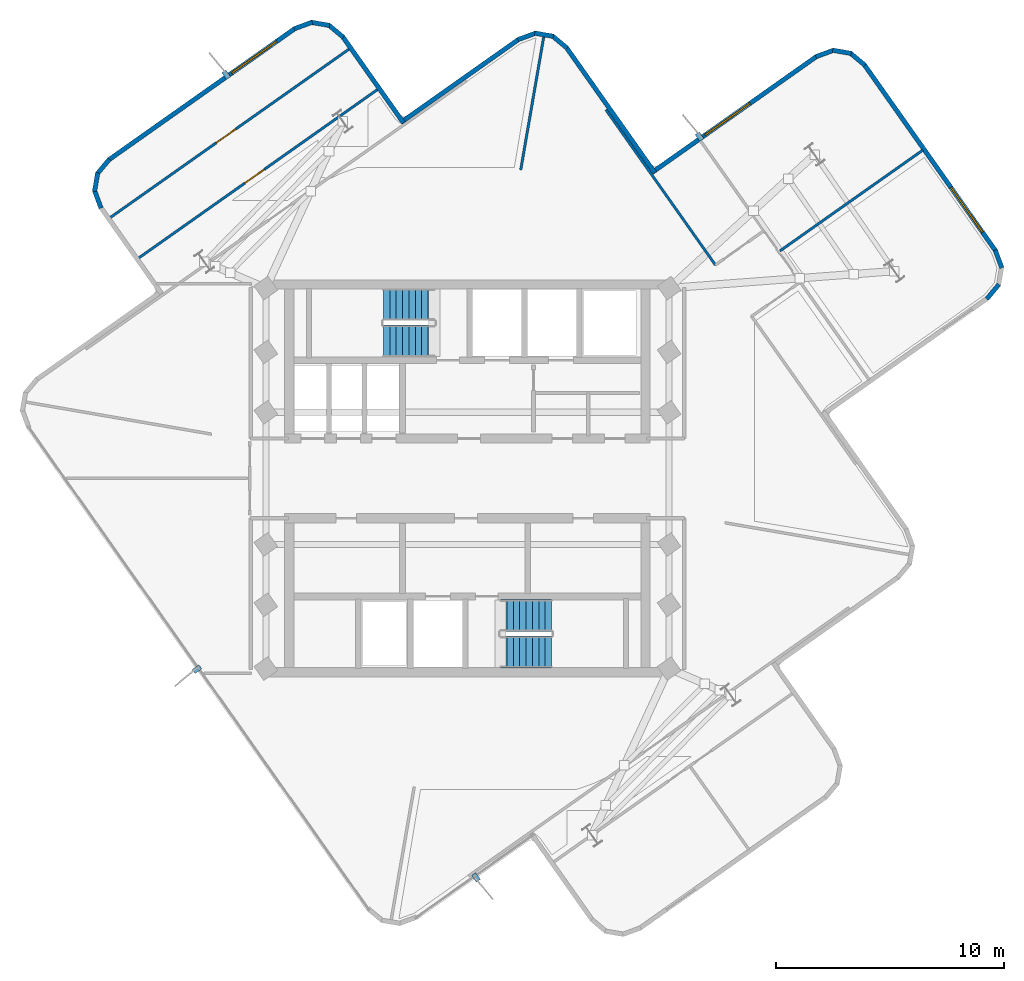
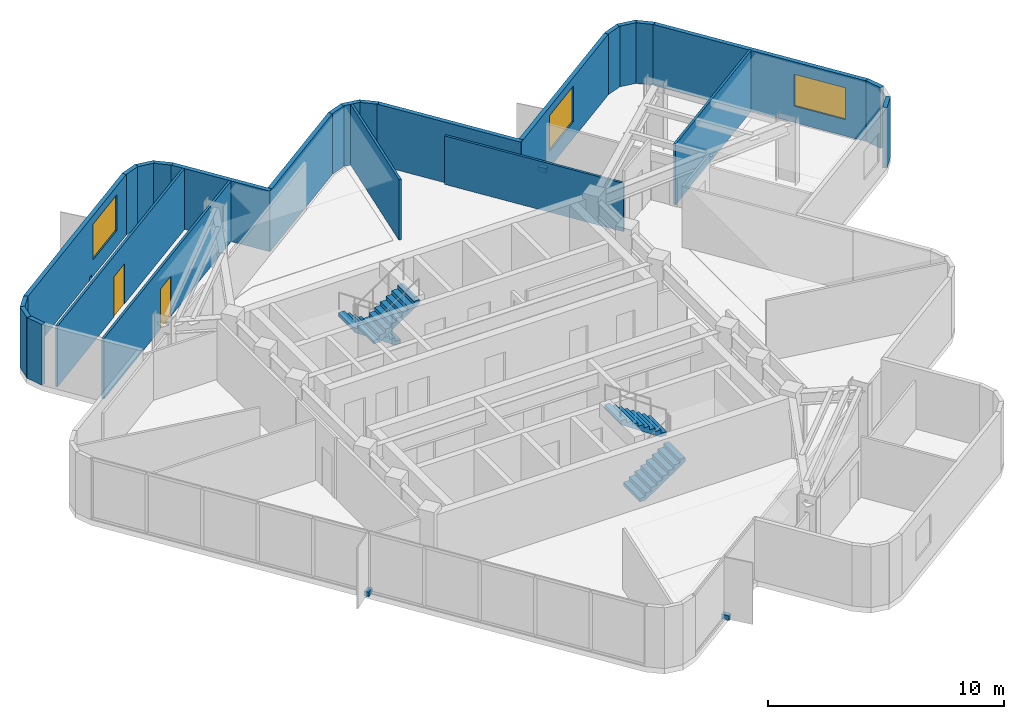
# One storey, part 7 of 9: 25 walls, 4 discrete accessories, 4 stair flights, 3 windows, 2 doors, 5 openings, 2 elements without a shape of their own.
"""IFC4 building model written with IfcOpenShell, lengths in metres."""

from ifc_helpers import new_model, si_unit, direction, frame, frame_2d, origin, origin_2d, place, context, subcontext, project, spatial, polyline, rectangle, outline, extrude, material, layer, layer_set, type_object, element, fill, aggregate, save


model = new_model("IFC4")

# Units and contexts
model_context = context("Model", 3, precision=1e-05, world=origin(), true_north=direction((0.0, 1.0)))
body_context = subcontext(model_context, "Body", "Model", "MODEL_VIEW")
ifc_project = project(units=[si_unit("LENGTHUNIT", "METRE"), si_unit("AREAUNIT", "SQUARE_METRE"), si_unit("VOLUMEUNIT", "CUBIC_METRE"), si_unit("PLANEANGLEUNIT", "RADIAN"), si_unit("MASSUNIT", "GRAM", prefix="KILO")], contexts=[model_context])

# Site, building, storey
site_placement = place(None, origin())
site = spatial("IfcSite", under=ifc_project, at=site_placement, CompositionType="ELEMENT")
building_placement = place(site_placement, origin())
building = spatial("IfcBuilding", under=site, at=building_placement, Name="Solmarez Civic Tower", CompositionType="ELEMENT")
storey_placement = place(building_placement, frame((0.0, 0.0, 222.300048828125)))
storey = spatial("IfcBuildingStorey", under=building, at=storey_placement, Name="L59", CompositionType="ELEMENT", Elevation=222.300048828125)

# Walls
ifc_material_1 = material(Name="Precast concrete C40/50", Category="concrete")
ifc_layer_1 = layer(ifc_material_1, 0.199951171875)
ifc_layer_set_1 = layer_set([ifc_layer_1], Name="Precast concrete C40/50")
wall_type_1 = type_object("IfcWallType", Name="WALL-EXT-200", PredefinedType="SOLIDWALL", material=ifc_layer_set_1)
wall_1_placement = place(storey_placement, frame((-16.083984375, 11.860107421875, 0.0), z_axis=(0.0, 0.0, 1.0), x_axis=(-0.346232030844, 0.938148911857, 0.0)))
element("IfcWall", 1, at=wall_1_placement, inside=storey, type_object=wall_type_1, Name="L59 Exterior Precast Wall 14", PredefinedType="SOLIDWALL", context=body_context, shape_type="SweptSolid", body=[
    extrude(rectangle(XDim=0.837646484375, YDim=0.199951171875, at=frame_2d((0.4189453125, 0.0))), origin(), (0.0, 0.0, 1.0), 3.139892578125),
])
wall_2_placement = place(storey_placement, frame((-16.368896484375, 12.597900390625, 0.0), z_axis=(0.0, 0.0, 1.0), x_axis=(0.169332910212, 0.985558910223, 0.0)))
element("IfcWall", 2, at=wall_2_placement, inside=storey, type_object=wall_type_1, Name="L59 Exterior Precast Wall 15", PredefinedType="SOLIDWALL", context=body_context, shape_type="SweptSolid", body=[
    extrude(rectangle(XDim=0.826171875, YDim=0.199951171875, at=frame_2d((0.4130859375, 0.0))), origin(), (0.0, 0.0, 1.0), 3.139892578125),
])
wall_3_placement = place(storey_placement, frame((-16.2490234375, 13.367919921875, 0.0), z_axis=(0.0, 0.0, 1.0), x_axis=(0.641043819012, 0.76750428149, 0.0)))
element("IfcWall", 3, at=wall_3_placement, inside=storey, type_object=wall_type_1, Name="L59 Exterior Precast Wall 16", PredefinedType="SOLIDWALL", context=body_context, shape_type="SweptSolid", body=[
    extrude(rectangle(XDim=0.837890625, YDim=0.199951171875, at=frame_2d((0.4189453125, 0.0))), origin(), (0.0, 0.0, 1.0), 3.139892578125),
])

# Wall, opening, window
wall_4_placement = place(storey_placement, frame((-15.748046875, 13.97802734375, 0.0), z_axis=(0.0, 0.0, 1.0), x_axis=(0.817168991675, 0.576398160168, 0.0)))
wall_4 = element("IfcWall", 4, at=wall_4_placement, inside=storey, type_object=wall_type_1, Name="L59 Exterior Precast Wall 17", PredefinedType="SOLIDWALL", context=body_context, shape_type="SweptSolid", body=[
    extrude(rectangle(XDim=10.022216796875, YDim=0.199951171875, at=frame_2d((5.01123046875, 0.0))), origin(), (0.0, 0.0, 1.0), 3.139892578125),
])
opening_1_placement = place(wall_4_placement, frame((6.617919921875, 0.0, 0.85009765625)))
opening_1 = element("IfcOpeningElement", 5, at=opening_1_placement, cuts=wall_4, Name="Opening W-06", PredefinedType="OPENING", context=body_context, shape_type="SweptSolid", body=[
    extrude(rectangle(XDim=2.39990234375, YDim=1.85009765625, at=frame_2d((1.199951171875, 0.925048828125))), frame((0.0, 0.10986328125, 0.0), z_axis=(0.0, -1.0, 0.0), x_axis=(1.0, 0.0, 0.0)), (0.0, 0.0, 1.0), 0.219970703125),
])
ifc_material_2 = material(Name="Solar Control Bronze-Tinted Insulating Glass", Category="glass")
window_type_1 = type_object("IfcWindowType", Name="WIN-2400X1850", PartitioningType="SINGLE_PANEL", PredefinedType="WINDOW", material=ifc_material_2)
window_1_placement = place(opening_1_placement, origin())
window_1 = element("IfcWindow", 6, at=window_1_placement, inside=storey, type_object=window_type_1, Name="L59 Exterior Facade Window 17", OverallHeight=1.85009765625, OverallWidth=2.39990234375, PartitioningType="SINGLE_PANEL", PredefinedType="WINDOW", context=body_context, shape_type="SweptSolid", body=[
    extrude(rectangle(XDim=2.39990234375, YDim=1.85009765625, at=frame_2d((1.199951171875, 0.925048828125))), frame((0.0, 0.030029296875, 0.0), z_axis=(0.0, -1.0, 0.0), x_axis=(1.0, 0.0, 0.0)), (0.0, 0.0, 1.0), 0.06005859375),
])
fill(opening_1, window_1)

# Walls
wall_5_placement = place(storey_placement, frame((-7.60107421875, 19.73193359375, 0.0), z_axis=(0.0, 0.0, 1.0), x_axis=(0.937664324164, 0.347542249504, 0.0)))
element("IfcWall", 7, at=wall_5_placement, inside=storey, type_object=wall_type_1, Name="L59 Exterior Precast Wall 18", PredefinedType="SOLIDWALL", context=body_context, shape_type="SweptSolid", body=[
    extrude(rectangle(XDim=0.83740234375, YDim=0.199951171875, at=frame_2d((0.418701171875, 0.0))), origin(), (0.0, 0.0, 1.0), 3.139892578125),
])
wall_6_placement = place(storey_placement, frame((-6.864013671875, 20.01806640625, 0.0), z_axis=(0.0, 0.0, 1.0), x_axis=(0.985501046628, -0.16966934636, 0.0)))
element("IfcWall", 8, at=wall_6_placement, inside=storey, type_object=wall_type_1, Name="L59 Exterior Precast Wall 19", PredefinedType="SOLIDWALL", context=body_context, shape_type="SweptSolid", body=[
    extrude(rectangle(XDim=0.825927734375, YDim=0.199951171875, at=frame_2d((0.4130859375, 0.0))), origin(), (0.0, 0.0, 1.0), 3.139892578125),
])
wall_7_placement = place(storey_placement, frame((-6.093994140625, 19.89794921875, 0.0), z_axis=(0.0, 0.0, 1.0), x_axis=(0.767647650908, -0.640872127694, 0.0)))
element("IfcWall", 9, at=wall_7_placement, inside=storey, type_object=wall_type_1, Name="L59 Exterior Precast Wall 20", PredefinedType="SOLIDWALL", context=body_context, shape_type="SweptSolid", body=[
    extrude(rectangle(XDim=0.837646484375, YDim=0.199951171875, at=frame_2d((0.4189453125, 0.0))), origin(), (0.0, 0.0, 1.0), 3.139892578125),
])
wall_8_placement = place(storey_placement, frame((-5.48388671875, 19.39697265625, 0.0), z_axis=(0.0, 0.0, 1.0), x_axis=(0.576451897958, -0.817131084551, 0.0)))
element("IfcWall", 10, at=wall_8_placement, inside=storey, type_object=wall_type_1, Name="L59 Exterior Precast Wall 21", PredefinedType="SOLIDWALL", context=body_context, shape_type="SweptSolid", body=[
    extrude(rectangle(XDim=4.641845703125, YDim=0.199951171875, at=frame_2d((2.32080078125, 0.0))), origin(), (0.0, 0.0, 1.0), 3.139892578125),
])
wall_9_placement = place(storey_placement, frame((-2.9189453125, 15.623046875, 0.0), z_axis=(0.0, 0.0, 1.0), x_axis=(0.817050016192, 0.576566796686, 0.0)))
element("IfcWall", 11, at=wall_9_placement, inside=storey, type_object=wall_type_1, Name="L59 Exterior Precast Wall 24", PredefinedType="SOLIDWALL", context=body_context, shape_type="SweptSolid", body=[
    extrude(rectangle(XDim=6.341064453125, YDim=0.199951171875, at=frame_2d((3.17041015625, 0.0))), origin(), (0.0, 0.0, 1.0), 3.139892578125),
])
wall_10_placement = place(storey_placement, frame((2.218994140625, 19.256103515625, 0.0), z_axis=(0.0, 0.0, 1.0), x_axis=(0.938243551417, 0.345975487894, 0.0)))
element("IfcWall", 12, at=wall_10_placement, inside=storey, type_object=wall_type_1, Name="L59 Exterior Precast Wall 25", PredefinedType="SOLIDWALL", context=body_context, shape_type="SweptSolid", body=[
    extrude(rectangle(XDim=0.837646484375, YDim=0.199951171875, at=frame_2d((0.4189453125, 0.0))), origin(), (0.0, 0.0, 1.0), 3.139892578125),
])
wall_11_placement = place(storey_placement, frame((2.95703125, 19.541015625, 0.0), z_axis=(0.0, 0.0, 1.0), x_axis=(0.985466949497, -0.169867275979, 0.0)))
element("IfcWall", 13, at=wall_11_placement, inside=storey, type_object=wall_type_1, Name="L59 Exterior Precast Wall 26", PredefinedType="SOLIDWALL", context=body_context, shape_type="SweptSolid", body=[
    extrude(rectangle(XDim=0.824951171875, YDim=0.199951171875, at=frame_2d((0.41259765625, 0.0))), origin(), (0.0, 0.0, 1.0), 3.139892578125),
])
wall_12_placement = place(storey_placement, frame((3.72607421875, 19.4208984375, 0.0), z_axis=(0.0, 0.0, 1.0), x_axis=(0.768698761673, -0.639610986305, 0.0)))
element("IfcWall", 14, at=wall_12_placement, inside=storey, type_object=wall_type_1, Name="L59 Exterior Precast Wall 27", PredefinedType="SOLIDWALL", context=body_context, shape_type="SweptSolid", body=[
    extrude(rectangle(XDim=0.837890625, YDim=0.199951171875, at=frame_2d((0.4189453125, 0.0))), origin(), (0.0, 0.0, 1.0), 3.139892578125),
])
wall_13_placement = place(storey_placement, frame((4.3369140625, 18.9208984375, 0.0), z_axis=(0.0, 0.0, 1.0), x_axis=(0.576400163196, -0.817167578816, 0.0)))
element("IfcWall", 15, at=wall_13_placement, inside=storey, type_object=wall_type_1, Name="L59 Exterior Precast Wall 28", PredefinedType="SOLIDWALL", context=body_context, shape_type="SweptSolid", body=[
    extrude(rectangle(XDim=6.740234375, YDim=0.199951171875, at=frame_2d((3.3701171875, 0.0))), origin(), (0.0, 0.0, 1.0), 3.139892578125),
])

# Wall, opening, window
wall_14_placement = place(storey_placement, frame((8.111083984375, 13.431884765625, 0.0), z_axis=(0.0, 0.0, 1.0), x_axis=(0.81712855258, 0.576455487058, 0.0)))
wall_14 = element("IfcWall", 16, at=wall_14_placement, inside=storey, type_object=wall_type_1, Name="L59 Exterior Precast Wall 31", PredefinedType="SOLIDWALL", context=body_context, shape_type="SweptSolid", body=[
    extrude(rectangle(XDim=8.840576171875, YDim=0.199951171875, at=frame_2d((4.42041015625, 0.0))), origin(), (0.0, 0.0, 1.0), 3.139892578125),
])
opening_2_placement = place(wall_14_placement, frame((2.85009765625, 0.0, 0.85009765625)))
opening_2 = element("IfcOpeningElement", 17, at=opening_2_placement, cuts=wall_14, Name="Opening W-06", PredefinedType="OPENING", context=body_context, shape_type="SweptSolid", body=[
    extrude(rectangle(XDim=2.39990234375, YDim=1.85009765625, at=frame_2d((1.199951171875, 0.925048828125))), frame((0.0, 0.10986328125, 0.0), z_axis=(0.0, -1.0, 0.0), x_axis=(1.0, 0.0, 0.0)), (0.0, 0.0, 1.0), 0.219970703125),
])
window_2_placement = place(opening_2_placement, origin())
window_2 = element("IfcWindow", 18, at=window_2_placement, inside=storey, type_object=window_type_1, Name="L59 Exterior Facade Window 31", OverallHeight=1.85009765625, OverallWidth=2.39990234375, PartitioningType="SINGLE_PANEL", PredefinedType="WINDOW", context=body_context, shape_type="SweptSolid", body=[
    extrude(rectangle(XDim=2.39990234375, YDim=1.85009765625, at=frame_2d((1.199951171875, 0.925048828125))), frame((0.0, 0.030029296875, 0.0), z_axis=(0.0, -1.0, 0.0), x_axis=(1.0, 0.0, 0.0)), (0.0, 0.0, 1.0), 0.06005859375),
])
fill(opening_2, window_2)

# Walls
wall_15_placement = place(storey_placement, frame((15.2919921875, 18.5048828125, 0.0), z_axis=(0.0, 0.0, 1.0), x_axis=(0.938148911857, 0.346232030844, 0.0)))
element("IfcWall", 19, at=wall_15_placement, inside=storey, type_object=wall_type_1, Name="L59 Exterior Precast Wall 32", PredefinedType="SOLIDWALL", context=body_context, shape_type="SweptSolid", body=[
    extrude(rectangle(XDim=0.837646484375, YDim=0.199951171875, at=frame_2d((0.4189453125, 0.0))), origin(), (0.0, 0.0, 1.0), 3.139892578125),
])
wall_16_placement = place(storey_placement, frame((16.030029296875, 18.7900390625, 0.0), z_axis=(0.0, 0.0, 1.0), x_axis=(0.985501046628, -0.16966934636, 0.0)))
element("IfcWall", 20, at=wall_16_placement, inside=storey, type_object=wall_type_1, Name="L59 Exterior Precast Wall 33", PredefinedType="SOLIDWALL", context=body_context, shape_type="SweptSolid", body=[
    extrude(rectangle(XDim=0.825927734375, YDim=0.199951171875, at=frame_2d((0.4130859375, 0.0))), origin(), (0.0, 0.0, 1.0), 3.139892578125),
])
wall_17_placement = place(storey_placement, frame((16.800048828125, 18.669921875, 0.0), z_axis=(0.0, 0.0, 1.0), x_axis=(0.767647650908, -0.640872127694, 0.0)))
element("IfcWall", 21, at=wall_17_placement, inside=storey, type_object=wall_type_1, Name="L59 Exterior Precast Wall 34", PredefinedType="SOLIDWALL", context=body_context, shape_type="SweptSolid", body=[
    extrude(rectangle(XDim=0.837646484375, YDim=0.199951171875, at=frame_2d((0.4189453125, 0.0))), origin(), (0.0, 0.0, 1.0), 3.139892578125),
])

# Wall, opening, window
wall_18_placement = place(storey_placement, frame((17.409912109375, 18.1689453125, 0.0), z_axis=(0.0, 0.0, 1.0), x_axis=(0.576414426355, -0.817157517918, 0.0)))
wall_18 = element("IfcWall", 22, at=wall_18_placement, inside=storey, type_object=wall_type_1, Name="L59 Exterior Precast Wall 35", PredefinedType="SOLIDWALL", context=body_context, shape_type="SweptSolid", body=[
    extrude(rectangle(XDim=10.0224609375, YDim=0.199951171875, at=frame_2d((5.01123046875, 0.0))), origin(), (0.0, 0.0, 1.0), 3.139892578125),
])
opening_3_placement = place(wall_18_placement, frame((6.617919921875, 0.0, 0.85009765625)))
opening_3 = element("IfcOpeningElement", 23, at=opening_3_placement, cuts=wall_18, Name="Opening W-10", PredefinedType="OPENING", context=body_context, shape_type="SweptSolid", body=[
    extrude(rectangle(XDim=2.39990234375, YDim=1.64990234375, at=frame_2d((1.199951171875, 0.824951171875))), frame((0.0, 0.10986328125, 0.0), z_axis=(0.0, -1.0, 0.0), x_axis=(1.0, 0.0, 0.0)), (0.0, 0.0, 1.0), 0.219970703125),
])
window_type_2 = type_object("IfcWindowType", Name="WIN-2400X1650", PartitioningType="SINGLE_PANEL", PredefinedType="WINDOW", material=ifc_material_2)
window_3_placement = place(opening_3_placement, origin())
window_3 = element("IfcWindow", 24, at=window_3_placement, inside=storey, type_object=window_type_2, Name="L59 Exterior Facade Window 35", OverallHeight=1.64990234375, OverallWidth=2.39990234375, PartitioningType="SINGLE_PANEL", PredefinedType="WINDOW", context=body_context, shape_type="SweptSolid", body=[
    extrude(rectangle(XDim=2.39990234375, YDim=1.64990234375, at=frame_2d((1.199951171875, 0.824951171875))), frame((0.0, 0.030029296875, 0.0), z_axis=(0.0, -1.0, 0.0), x_axis=(1.0, 0.0, 0.0)), (0.0, 0.0, 1.0), 0.06005859375),
])
fill(opening_3, window_3)

# Walls
wall_19_placement = place(storey_placement, frame((23.1640625, 10.02197265625, 0.0), z_axis=(0.0, 0.0, 1.0), x_axis=(0.347637287427, -0.937629093187, 0.0)))
element("IfcWall", 25, at=wall_19_placement, inside=storey, type_object=wall_type_1, Name="L59 Exterior Precast Wall 36", PredefinedType="SOLIDWALL", context=body_context, shape_type="SweptSolid", body=[
    extrude(rectangle(XDim=0.837158203125, YDim=0.199951171875, at=frame_2d((0.41845703125, 0.0))), origin(), (0.0, 0.0, 1.0), 3.139892578125),
])
wall_20_placement = place(storey_placement, frame((23.330078125, 8.514892578125, 0.0), z_axis=(0.0, 0.0, 1.0), x_axis=(-0.641187201728, -0.767384500977, 0.0)))
element("IfcWall", 26, at=wall_20_placement, inside=storey, type_object=wall_type_1, Name="L59 Exterior Precast Wall 38", PredefinedType="SOLIDWALL", context=body_context, shape_type="SweptSolid", body=[
    extrude(rectangle(XDim=0.837646484375, YDim=0.199951171875, at=frame_2d((0.4189453125, 0.0))), origin(), (0.0, 0.0, 1.0), 3.139892578125),
])
ifc_material_3 = material(Name="Gypsum Board Acoustic Steel-Stud Partition", Category="steel")
ifc_layer_2 = layer(ifc_material_3, 0.110107421875)
ifc_layer_set_2 = layer_set([ifc_layer_2], Name="Gypsum Board Acoustic Steel-Stud Partition")
wall_type_2 = type_object("IfcWallType", Name="WALL-INT-PART-110", PredefinedType="PARTITIONING", material=ifc_layer_set_2)
wall_21_placement = place(storey_placement, frame((2.337890625, 13.5400390625, 0.0), z_axis=(0.0, 0.0, 1.0), x_axis=(0.1703339471, 0.9853863945, 0.0)))
element("IfcWall", 27, at=wall_21_placement, inside=storey, type_object=wall_type_2, Name="L59 Interior Partition PT-L59-QDIV-1", PredefinedType="PARTITIONING", context=body_context, shape_type="SweptSolid", body=[
    extrude(rectangle(XDim=5.953857421875, YDim=0.110107421875, at=frame_2d((2.97705078125, 0.0))), origin(), (0.0, 0.0, 1.0), 3.139892578125),
])
wall_22_placement = place(storey_placement, frame((10.886962890625, 9.35693359375, 0.0), z_axis=(0.0, 0.0, 1.0), x_axis=(-0.576423728743, 0.817150956031, 0.0)))
element("IfcWall", 28, at=wall_22_placement, inside=storey, type_object=wall_type_2, Name="L59 Interior Partition PT-L59-E-EFL", PredefinedType="PARTITIONING", context=body_context, shape_type="SweptSolid", body=[
    extrude(rectangle(XDim=8.349853515625, YDim=0.110107421875, at=frame_2d((4.1748046875, 0.0))), origin(), (0.0, 0.0, 1.0), 2.510009765625),
])
wall_23_placement = place(storey_placement, frame((13.715087890625, 9.98095703125, 0.0), z_axis=(0.0, 0.0, 1.0), x_axis=(0.817122118381, 0.576464607459, 0.0)))
element("IfcWall", 29, at=wall_23_placement, inside=storey, type_object=wall_type_2, Name="L59 Interior Partition PT-L59-E-TM", PredefinedType="PARTITIONING", context=body_context, shape_type="SweptSolid", body=[
    extrude(rectangle(XDim=7.674560546875, YDim=0.110107421875, at=frame_2d((3.83740234375, 0.0))), origin(), (0.0, 0.0, 1.0), 3.139892578125),
])

# Wall, opening, door
wall_24_placement = place(storey_placement, frame((-14.445068359375, 9.659912109375, 0.0), z_axis=(0.0, 0.0, 1.0), x_axis=(0.817137627016, 0.576442623784, 0.0)))
wall_24 = element("IfcWall", 30, at=wall_24_placement, inside=storey, type_object=wall_type_2, Name="L59 Interior Partition PT-L59-N-SC1", PredefinedType="PARTITIONING", context=body_context, shape_type="SweptSolid", body=[
    extrude(rectangle(XDim=12.87060546875, YDim=0.110107421875, at=frame_2d((6.435302734375, 0.0))), origin(), (0.0, 0.0, 1.0), 3.139892578125),
])
opening_4_placement = place(wall_24_placement, frame((5.7099609375, 0.0, 0.0)))
opening_4 = element("IfcOpeningElement", 31, at=opening_4_placement, cuts=wall_24, Name="Opening D-13", PredefinedType="OPENING", context=body_context, shape_type="SweptSolid", body=[
    extrude(rectangle(XDim=1.050048828125, YDim=2.080078125, at=frame_2d((0.52490234375, 1.0400390625))), frame((0.0, 0.06494140625, 0.0), z_axis=(0.0, -1.0, 0.0), x_axis=(1.0, 0.0, 0.0)), (0.0, 0.0, 1.0), 0.130126953125),
])
ifc_material_4 = material(Name="Timber Directorate Office Door", Category="wood")
door_type = type_object("IfcDoorType", Name="DOOR-INT-1050", OperationType="NOTDEFINED", PredefinedType="DOOR", material=ifc_material_4)
door_1_placement = place(opening_4_placement, origin())
door_1 = element("IfcDoor", 32, at=door_1_placement, inside=storey, type_object=door_type, Name="L59 Directorate Office North Door", OperationType="SINGLE_SWING_LEFT", OverallHeight=2.080078125, OverallWidth=1.050048828125, PredefinedType="DOOR", context=body_context, shape_type="SweptSolid", body=[
    extrude(rectangle(XDim=1.050048828125, YDim=2.080078125, at=frame_2d((0.52490234375, 1.0400390625))), frame((0.0, 0.02490234375, 0.0), z_axis=(0.0, -1.0, 0.0), x_axis=(1.0, 0.0, 0.0)), (0.0, 0.0, 1.0), 0.050048828125),
])
fill(opening_4, door_1)

wall_25_placement = place(storey_placement, frame((-15.695068359375, 11.43310546875, 0.0), z_axis=(0.0, 0.0, 1.0), x_axis=(0.817121348165, 0.576465699216, 0.0)))
wall_25 = element("IfcWall", 33, at=wall_25_placement, inside=storey, type_object=wall_type_2, Name="L59 Interior Partition PT-L59-N-SC2", PredefinedType="PARTITIONING", context=body_context, shape_type="SweptSolid", body=[
    extrude(rectangle(XDim=12.86962890625, YDim=0.110107421875, at=frame_2d((6.434814453125, 0.0))), origin(), (0.0, 0.0, 1.0), 3.139892578125),
])
opening_5_placement = place(wall_25_placement, frame((5.708984375, 0.0, 0.0)))
opening_5 = element("IfcOpeningElement", 34, at=opening_5_placement, cuts=wall_25, Name="Opening D-13", PredefinedType="OPENING", context=body_context, shape_type="SweptSolid", body=[
    extrude(rectangle(XDim=1.050048828125, YDim=2.080078125, at=frame_2d((0.52490234375, 1.0400390625))), frame((0.0, 0.06494140625, 0.0), z_axis=(0.0, -1.0, 0.0), x_axis=(1.0, 0.0, 0.0)), (0.0, 0.0, 1.0), 0.130126953125),
])
door_2_placement = place(opening_5_placement, origin())
door_2 = element("IfcDoor", 35, at=door_2_placement, inside=storey, type_object=door_type, Name="L59 Citizen Consultation Room North Door", OperationType="SINGLE_SWING_RIGHT", OverallHeight=2.080078125, OverallWidth=1.050048828125, PredefinedType="DOOR", context=body_context, shape_type="SweptSolid", body=[
    extrude(rectangle(XDim=1.050048828125, YDim=2.080078125, at=frame_2d((0.52490234375, 1.0400390625))), frame((0.0, 0.02490234375, 0.0), z_axis=(0.0, -1.0, 0.0), x_axis=(1.0, 0.0, 0.0)), (0.0, 0.0, 1.0), 0.050048828125),
])
fill(opening_5, door_2)

# Stair, stair flights
ifc_material_5 = material(Name="Concrete C50/60", Category="concrete")
stair_type = type_object("IfcStairType", Name="STAIR-DOGLEG-140W-18R-1900", PredefinedType="HALF_TURN_STAIR", material=ifc_material_5)
stair_1_placement = place(storey_placement, origin())
stair_1 = element("IfcStair", 36, at=stair_1_placement, inside=storey, type_object=stair_type, Name="L59 North Core Protected Exit Stair ST-1", PredefinedType="HALF_TURN_STAIR")
stair_flight_type = type_object("IfcStairFlightType", Name="FLIGHT-DOGLEG-140W-9R-1900", PredefinedType="STRAIGHT", material=ifc_material_5)
stair_flight_1_placement = place(storey_placement, frame((-1.449951171875, 7.6201171875, 0.0), z_axis=(0.0, 0.0, 1.0), x_axis=(-1.0, 0.0, 0.0)))
stair_flight_1 = element("IfcStairFlight", 37, at=stair_flight_1_placement, type_object=stair_flight_type, Name="ST-1 flight 1", NumberOfRisers=9, NumberOfTreads=8, PredefinedType="STRAIGHT", RiserHeight=0.19, TreadLength=0.28, context=body_context, shape_type="SweptSolid", body=[
    extrude(outline(polyline([(0.0, 0.0), (0.0, 0.18994140625), (0.280029296875, 0.18994140625), (0.280029296875, 0.3798828125), (0.56005859375, 0.3798828125), (0.56005859375, 0.570068359375), (0.840087890625, 0.570068359375), (0.840087890625, 0.760009765625), (1.1201171875, 0.760009765625), (1.1201171875, 0.949951171875), (1.39990234375, 0.949951171875), (1.39990234375, 1.139892578125), (1.679931640625, 1.139892578125), (1.679931640625, 1.330078125), (1.9599609375, 1.330078125), (1.9599609375, 1.52001953125), (2.239990234375, 1.52001953125), (2.239990234375, 1.7099609375), (2.239990234375, 1.32666015625), (0.284912109375, 0.0), (0.0, 0.0)])), frame((0.0, 0.699951171875, 0.0), z_axis=(0.0, -1.0, 0.0), x_axis=(1.0, 0.0, 0.0)), (0.0, 0.0, 1.0), 1.39990234375),
])
stair_flight_2_placement = place(storey_placement, frame((-3.68994140625, 6.02001953125, 1.7099609375), z_axis=(0.0, 0.0, 1.0), x_axis=(1.0, 0.0, 0.0)))
stair_flight_2 = element("IfcStairFlight", 38, at=stair_flight_2_placement, type_object=stair_flight_type, Name="ST-1 flight 2", NumberOfRisers=9, NumberOfTreads=8, PredefinedType="STRAIGHT", RiserHeight=0.19, TreadLength=0.28, context=body_context, shape_type="SweptSolid", body=[
    extrude(outline(polyline([(0.0, 0.0), (0.0, 0.18994140625), (0.280029296875, 0.18994140625), (0.280029296875, 0.3798828125), (0.56005859375, 0.3798828125), (0.56005859375, 0.570068359375), (0.840087890625, 0.570068359375), (0.840087890625, 0.760009765625), (1.1201171875, 0.760009765625), (1.1201171875, 0.949951171875), (1.39990234375, 0.949951171875), (1.39990234375, 1.139892578125), (1.679931640625, 1.139892578125), (1.679931640625, 1.330078125), (1.9599609375, 1.330078125), (1.9599609375, 1.52001953125), (2.239990234375, 1.52001953125), (2.239990234375, 1.7099609375), (2.239990234375, 1.32666015625), (0.284912109375, 0.0), (0.0, 0.0)])), frame((0.0, 0.699951171875, 0.0), z_axis=(0.0, -1.0, 0.0), x_axis=(1.0, 0.0, 0.0)), (0.0, 0.0, 1.0), 1.39990234375),
])
aggregate(stair_1, [stair_flight_1, stair_flight_2])

stair_2_placement = place(storey_placement, origin())
stair_2 = element("IfcStair", 39, at=stair_2_placement, inside=storey, type_object=stair_type, Name="L59 South Core Protected Exit Stair ST-2", PredefinedType="HALF_TURN_STAIR")
stair_flight_3_placement = place(storey_placement, frame((1.449951171875, -7.6201171875, 0.0), z_axis=(0.0, 0.0, 1.0), x_axis=(1.0, 0.0, 0.0)))
stair_flight_3 = element("IfcStairFlight", 40, at=stair_flight_3_placement, type_object=stair_flight_type, Name="ST-2 flight 1", NumberOfRisers=9, NumberOfTreads=8, PredefinedType="STRAIGHT", RiserHeight=0.19, TreadLength=0.28, context=body_context, shape_type="SweptSolid", body=[
    extrude(outline(polyline([(0.0, 0.0), (0.0, 0.18994140625), (0.280029296875, 0.18994140625), (0.280029296875, 0.3798828125), (0.56005859375, 0.3798828125), (0.56005859375, 0.570068359375), (0.840087890625, 0.570068359375), (0.840087890625, 0.760009765625), (1.1201171875, 0.760009765625), (1.1201171875, 0.949951171875), (1.39990234375, 0.949951171875), (1.39990234375, 1.139892578125), (1.679931640625, 1.139892578125), (1.679931640625, 1.330078125), (1.9599609375, 1.330078125), (1.9599609375, 1.52001953125), (2.239990234375, 1.52001953125), (2.239990234375, 1.7099609375), (2.239990234375, 1.32666015625), (0.284912109375, 0.0), (0.0, 0.0)])), frame((0.0, 0.699951171875, 0.0), z_axis=(0.0, -1.0, 0.0), x_axis=(1.0, 0.0, 0.0)), (0.0, 0.0, 1.0), 1.39990234375),
])
stair_flight_4_placement = place(storey_placement, frame((3.68994140625, -6.02001953125, 1.7099609375), z_axis=(0.0, 0.0, 1.0), x_axis=(-1.0, 0.0, 0.0)))
stair_flight_4 = element("IfcStairFlight", 41, at=stair_flight_4_placement, type_object=stair_flight_type, Name="ST-2 flight 2", NumberOfRisers=9, NumberOfTreads=8, PredefinedType="STRAIGHT", RiserHeight=0.19, TreadLength=0.28, context=body_context, shape_type="SweptSolid", body=[
    extrude(outline(polyline([(0.0, 0.0), (0.0, 0.18994140625), (0.280029296875, 0.18994140625), (0.280029296875, 0.3798828125), (0.56005859375, 0.3798828125), (0.56005859375, 0.570068359375), (0.840087890625, 0.570068359375), (0.840087890625, 0.760009765625), (1.1201171875, 0.760009765625), (1.1201171875, 0.949951171875), (1.39990234375, 0.949951171875), (1.39990234375, 1.139892578125), (1.679931640625, 1.139892578125), (1.679931640625, 1.330078125), (1.9599609375, 1.330078125), (1.9599609375, 1.52001953125), (2.239990234375, 1.52001953125), (2.239990234375, 1.7099609375), (2.239990234375, 1.32666015625), (0.284912109375, 0.0), (0.0, 0.0)])), frame((0.0, 0.699951171875, 0.0), z_axis=(0.0, -1.0, 0.0), x_axis=(1.0, 0.0, 0.0)), (0.0, 0.0, 1.0), 1.39990234375),
])
aggregate(stair_2, [stair_flight_3, stair_flight_4])

# Discrete accessories
ifc_material_6 = material(Name="Stainless Steel Grade 1.4401", Category="steel")
discrete_accessory_type = type_object("IfcDiscreteAccessoryType", Name="BRACKET-SS-FIN", PredefinedType="BRACKET", material=ifc_material_6)
for number, where, z_axis, x_axis, name in (
    (42, (0.375, -17.51611328125, -0.06005859375), (0.0, 0.0, 1.0), (0.576557294214, -0.817056721709, 0.0), "L59 Stainless Fin Support Bracket FIN-L59-01"),
    (43, (-11.873046875, -8.3759765625, -0.06005859375), (0.0, 0.0, 1.0), (-0.817158475739, -0.576413068491, 0.0), "L59 Stainless Fin Support Bracket FIN-L59-02"),
    (44, (-10.590087890625, 17.714111328125, -0.06005859375), (0.0, 0.0, 1.0), (-0.576419423825, 0.817153992732, 0.0), "L59 Stainless Fin Support Bracket FIN-L59-03"),
    (45, (10.18896484375, 14.99609375, -0.06005859375), (0.0, 0.0, 1.0), (-0.576431512057, 0.817145465574, 0.0), "L59 Stainless Fin Support Bracket FIN-L59-04"),
):
    element("IfcDiscreteAccessory", number, at=place(storey_placement, frame(where, z_axis=z_axis, x_axis=x_axis)), inside=storey, type_object=discrete_accessory_type, Name=name, PredefinedType="BRACKET", context=body_context, shape_type="SweptSolid", body=[
        extrude(rectangle(XDim=0.360107421875, YDim=0.219970703125, at=origin_2d()), origin(), (0.0, 0.0, 1.0), 0.239990234375),
    ])

save(model, "model.ifc")
